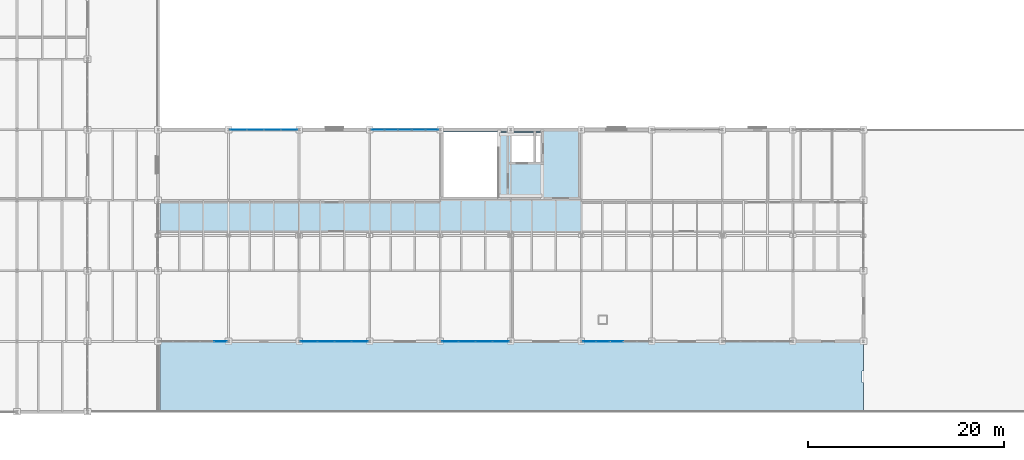
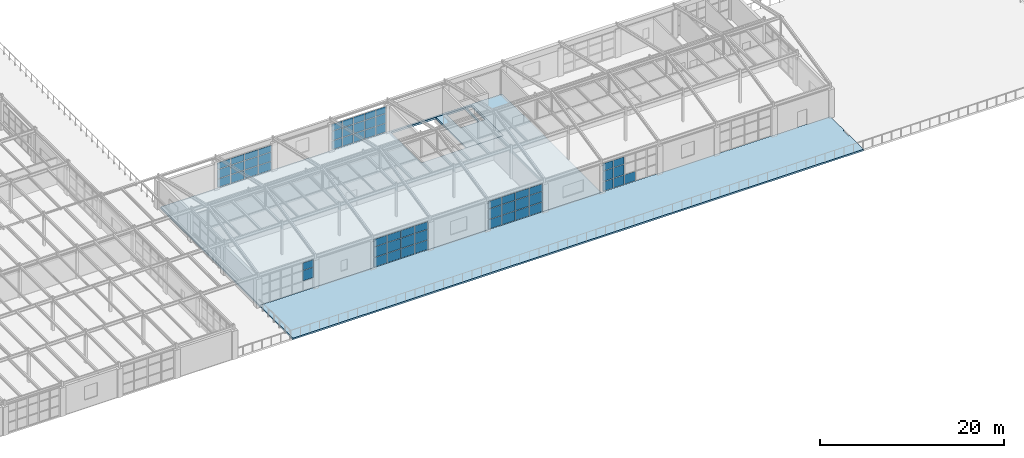
# One storey, part 84 of 101: 60 plates, 3 slabs, 6 elements without a shape of their own.
"""IFC4 building model written with IfcOpenShell, lengths in metres."""

import ifcopenshell
import ifcopenshell.guid

model = None  # the IFC model being written
_history = None  # IfcOwnerHistory: only IFC2X3 demands one
_inside = {}  # id of a spatial element -> (the spatial element, [elements in it])
_under = {}  # id of a project, library or spatial element -> (it, [spatial elements below it])
_declared = {}  # id of a project -> (the project, [libraries it declares])
_typed = {}  # id of a type object -> (the type object, [elements of that type])
_made_of = {}  # id of a material, layer set ... -> (it, [elements and type objects made of it])


def new_model(schema):
    """Start an empty IFC model of exactly this schema.

    Asked for "IFC4X3", IfcOpenShell would pick the latest addendum, in which some entities
    have other attributes; the version numbers below select the first issue.
    IFC2X3 requires an IfcOwnerHistory on every rooted entity: one is made here for all.
    """
    global model, _history
    if schema == "IFC4X3":
        model = ifcopenshell.file(schema_version=(4, 3, 0, 0))
    else:
        model = ifcopenshell.file(schema=schema)
    _inside.clear()
    _under.clear()
    _declared.clear()
    _typed.clear()
    _made_of.clear()
    _history = None
    if model.schema == "IFC2X3":
        org = make("IfcOrganization", Name="unknown")
        user = make(
            "IfcPersonAndOrganization",
            ThePerson=make("IfcPerson", FamilyName="unknown"),
            TheOrganization=org,
        )
        app = make(
            "IfcApplication",
            ApplicationDeveloper=org,
            Version="unknown",
            ApplicationFullName="unknown",
            ApplicationIdentifier="unknown",
        )
        _history = make(
            "IfcOwnerHistory",
            OwningUser=user,
            OwningApplication=app,
            ChangeAction="ADDED",
            CreationDate=0,
        )
    return model


def make(cls, **values):
    """One entity of the class cls with the attributes given. An attribute that is None is left unset."""
    return model.create_entity(
        cls, **{name: value for name, value in values.items() if value is not None}
    )


def rooted(cls, **values):
    """An entity with a GlobalId (a new one), such as an element, a storey or a relation."""
    return make(cls, GlobalId=ifcopenshell.guid.new(), OwnerHistory=_history, **values)


def si_unit(unit_type, name, prefix=None):
    """IfcSIUnit, for example si_unit("LENGTHUNIT", "METRE", prefix="MILLI")."""
    return make("IfcSIUnit", UnitType=unit_type, Prefix=prefix, Name=name)


def assignment(units):
    """IfcUnitAssignment: the units of a project."""
    return None if units is None else make("IfcUnitAssignment", Units=units)


def point(xyz):
    """IfcCartesianPoint."""
    return None if xyz is None else make("IfcCartesianPoint", Coordinates=xyz)


def direction(xyz):
    """IfcDirection."""
    return None if xyz is None else make("IfcDirection", DirectionRatios=xyz)


def frame(location, z_axis=None, x_axis=None):
    """IfcAxis2Placement3D, a coordinate frame: its origin and axes. An axis left out is left unset."""
    return make(
        "IfcAxis2Placement3D",
        Location=point(location),
        Axis=direction(z_axis),
        RefDirection=direction(x_axis),
    )


def frame_2d(location, x_axis=None):
    """IfcAxis2Placement2D, a coordinate frame in the plane: its origin and x axis."""
    return make(
        "IfcAxis2Placement2D", Location=point(location), RefDirection=direction(x_axis)
    )


def origin():
    """The frame at (0, 0, 0) with its axes left unset."""
    return frame((0.0, 0.0, 0.0))


def origin_2d():
    """The frame at (0, 0) in the plane with its x axis left unset."""
    return frame_2d((0.0, 0.0))


def place(relative_to, where):
    """IfcLocalPlacement: puts the frame where relative to a parent placement (None: the world)."""
    return make(
        "IfcLocalPlacement", PlacementRelTo=relative_to, RelativePlacement=where
    )


def context(
    kind, dimensions, precision=None, world=None, true_north=None, identifier=None
):
    """IfcGeometricRepresentationContext, for example the 3D "Model" context."""
    return make(
        "IfcGeometricRepresentationContext",
        ContextIdentifier=identifier,
        ContextType=kind,
        CoordinateSpaceDimension=dimensions,
        Precision=precision,
        WorldCoordinateSystem=world,
        TrueNorth=true_north,
    )


def subcontext(parent, identifier, kind, view, scale=None):
    """IfcGeometricRepresentationSubContext, for example "Body" below "Model"."""
    return make(
        "IfcGeometricRepresentationSubContext",
        ContextIdentifier=identifier,
        ContextType=kind,
        ParentContext=parent,
        TargetScale=scale,
        TargetView=view,
    )


def project(units=None, contexts=None):
    """IfcProject with its units and contexts."""
    return rooted(
        "IfcProject",
        Name="project",
        RepresentationContexts=contexts,
        UnitsInContext=assignment(units),
    )


def spatial(cls, under=None, at=None, **own):
    """A site, building, storey or space (cls), placed at a placement, below another one or the project."""
    s = rooted(cls, ObjectPlacement=at, **own)
    if under is not None:
        _under.setdefault(under.id(), (under, []))[1].append(s)
    return s


def polyline(points):
    """IfcPolyline through the points."""
    return make("IfcPolyline", Points=[point(p) for p in points])


def profile(cls, at=None, kind="AREA", **sizes):
    """A parametric profile (cls). Its sizes go by their IFC names, for example OverallWidth=200.0."""
    return make(cls, ProfileType=kind, Position=at, **sizes)


def rectangle(**sizes):
    """IfcRectangleProfileDef."""
    return profile("IfcRectangleProfileDef", **sizes)


def outline(outer, holes=None, kind="AREA"):
    """IfcArbitraryClosedProfileDef: a profile drawn as a closed curve; with holes, ...WithVoids."""
    if holes is None:
        return make("IfcArbitraryClosedProfileDef", ProfileType=kind, OuterCurve=outer)
    return make(
        "IfcArbitraryProfileDefWithVoids",
        ProfileType=kind,
        OuterCurve=outer,
        InnerCurves=holes,
    )


def extrude(swept, where, along, depth):
    """IfcExtrudedAreaSolid: the profile swept, set in the frame where, extruded along a direction by depth."""
    return make(
        "IfcExtrudedAreaSolid",
        SweptArea=swept,
        Position=where,
        ExtrudedDirection=direction(along),
        Depth=depth,
    )


def shape(context_of_items, identifier, shape_type, items):
    """IfcShapeRepresentation: the items that make up one representation, for example the "Body"."""
    return make(
        "IfcShapeRepresentation",
        ContextOfItems=context_of_items,
        RepresentationIdentifier=identifier,
        RepresentationType=shape_type,
        Items=items,
    )


def material(Name=None, Category=None):
    """IfcMaterial."""
    return make("IfcMaterial", Name=Name, Category=Category)


def layer(
    of_material, thickness, ventilated=None, Name=None, Category=None, Priority=None
):
    """IfcMaterialLayer: one layer of a wall or slab, of a material (None: an air gap)."""
    return make(
        "IfcMaterialLayer",
        Material=of_material,
        LayerThickness=thickness,
        IsVentilated=ventilated,
        Name=Name,
        Category=Category,
        Priority=Priority,
    )


def layer_set(layers, Name=None):
    """IfcMaterialLayerSet."""
    return make("IfcMaterialLayerSet", MaterialLayers=layers, LayerSetName=Name)


def made_of(thing, what):
    """Note that an element or type object is made of a material, layer set ...; save() writes the relation."""
    if what is not None:
        _made_of.setdefault(what.id(), (what, []))[1].append(thing)
    return thing


def type_object(cls, material=None, **own):
    """A type object (cls), such as IfcWallType, which elements share."""
    return made_of(rooted(cls, **own), material)


def element(
    cls,
    number,
    at=None,
    inside=None,
    cuts=None,
    type_object=None,
    material=None,
    context=None,
    identifier="Body",
    shape_type=None,
    held_by="IfcProductDefinitionShape",
    body=None,
    shapes=None,
    **own,
):
    """One element of the class cls, such as IfcWall. Its Tag is "e" and its number.

    at: its placement. inside: the storey or other place that contains it. cuts: it is an
    opening in that element (IfcRelVoidsElement). A single representation is given by context,
    identifier, shape_type and body (its items); several are given by shapes. held_by: the class
    of the entity that holds the representations. save() writes the other relations.
    """
    e = rooted(cls, Tag="e%d" % number, ObjectPlacement=at, **own)
    if body is not None:
        shapes = [shape(context, identifier, shape_type, body)]
    if shapes is not None:
        e.Representation = make(held_by, Representations=shapes)
    if inside is not None:
        _inside.setdefault(inside.id(), (inside, []))[1].append(e)
    if cuts is not None:
        rooted(
            "IfcRelVoidsElement", RelatingBuildingElement=cuts, RelatedOpeningElement=e
        )
    if type_object is not None:
        _typed.setdefault(type_object.id(), (type_object, []))[1].append(e)
    return made_of(e, material)


def aggregate(whole, parts):
    """IfcRelAggregates: a whole, such as a stair, and the parts it consists of."""
    return rooted("IfcRelAggregates", RelatingObject=whole, RelatedObjects=parts)


def save(model, path):
    """Write the relations noted so far, then the file.

    IfcRelAggregates (storeys below a building ...), IfcRelContainedInSpatialStructure (elements
    in a storey), IfcRelDefinesByType, IfcRelAssociatesMaterial and IfcRelDeclares: one each for
    every whole, place, type object, material and project.
    """
    for whole, parts in _under.values():
        aggregate(whole, parts)
    for where, things in _inside.values():
        rooted(
            "IfcRelContainedInSpatialStructure",
            RelatedElements=things,
            RelatingStructure=where,
        )
    for kind, things in _typed.values():
        rooted("IfcRelDefinesByType", RelatedObjects=things, RelatingType=kind)
    for what, things in _made_of.values():
        rooted("IfcRelAssociatesMaterial", RelatedObjects=things, RelatingMaterial=what)
    for by, libraries in _declared.values():
        rooted("IfcRelDeclares", RelatingContext=by, RelatedDefinitions=libraries)
    model.write(path)


model = new_model("IFC4")

# Units and contexts
model_context = context("Model", 3, precision=1e-05, world=origin(), true_north=direction((0.0, 1.0)))
body_context = subcontext(model_context, "Body", "Model", "MODEL_VIEW")
ifc_project = project(units=[si_unit("LENGTHUNIT", "METRE"), si_unit("AREAUNIT", "SQUARE_METRE"), si_unit("VOLUMEUNIT", "CUBIC_METRE"), si_unit("PLANEANGLEUNIT", "RADIAN"), si_unit("MASSUNIT", "GRAM", prefix="KILO")], contexts=[model_context])

# Site, building, storey
site_placement = place(None, origin())
site = spatial("IfcSite", under=ifc_project, at=site_placement, CompositionType="ELEMENT")
building_placement = place(site_placement, origin())
building = spatial("IfcBuilding", under=site, at=building_placement, Name="Kemerveld Promenade Tramway Depot", CompositionType="ELEMENT")
storey_placement = place(building_placement, frame((0.0, 0.0, 9.89990234375)))
storey = spatial("IfcBuildingStorey", under=building, at=storey_placement, Name="L02", CompositionType="ELEMENT", Elevation=9.89990234375)

# Curtain wall, plates
ifc_material_1 = material(Name="Bronze anodised aluminium and solar glass", Category="aluminium")
ifc_layer_1 = layer(ifc_material_1, 0.159912109375)
ifc_layer_set_1 = layer_set([ifc_layer_1], Name="CW-SYS-09")
curtain_wall_type_1 = type_object("IfcCurtainWallType", Name="CW-SYS-09", PredefinedType="USERDEFINED", material=ifc_layer_set_1)
curtain_wall_1_placement = place(storey_placement, origin())
curtain_wall_1 = element("IfcCurtainWall", 1, at=curtain_wall_1_placement, inside=storey, type_object=curtain_wall_type_1, Name="CW-L02-V4S-06", ObjectType="GLAZED_CURTAIN_WALL", PredefinedType="USERDEFINED")
ifc_material_2 = material(Name="Solar-control laminated double glazing", Category="glass")
ifc_layer_2 = layer(ifc_material_2, 0.028076171875)
ifc_layer_set_2 = layer_set([ifc_layer_2], Name="CW-PNL-01")
plate_type_1 = type_object("IfcPlateType", Name="CW-PNL-01", PredefinedType="CURTAIN_PANEL", material=ifc_layer_set_2)
plate_1_placement = place(storey_placement, frame((92.590087890625, 7.199951171875, 0.06005859375), z_axis=(0.0, 0.0, 1.0), x_axis=(-1.0, 0.0, 0.0)))
plate_1 = element("IfcPlate", 2, at=plate_1_placement, type_object=plate_type_1, Name="CW09 panel 1.1", PredefinedType="CURTAIN_PANEL", context=body_context, shape_type="SweptSolid", body=[
    extrude(rectangle(XDim=1.64013671875, YDim=0.028076171875, at=origin_2d()), origin(), (0.0, 0.0, 1.0), 1.239990234375),
])
plate_2_placement = place(storey_placement, frame((92.590087890625, 7.199951171875, 1.3603515625), z_axis=(0.0, 0.0, 1.0), x_axis=(-1.0, 0.0, 0.0)))
plate_2 = element("IfcPlate", 3, at=plate_2_placement, type_object=plate_type_1, Name="CW09 panel 1.2", PredefinedType="CURTAIN_PANEL", context=body_context, shape_type="SweptSolid", body=[
    extrude(rectangle(XDim=1.64013671875, YDim=0.028076171875, at=origin_2d()), origin(), (0.0, 0.0, 1.0), 1.345947265625),
])
plate_3_placement = place(storey_placement, frame((92.590087890625, 7.199951171875, 2.76611328125), z_axis=(0.0, 0.0, 1.0), x_axis=(-1.0, 0.0, 0.0)))
plate_3 = element("IfcPlate", 4, at=plate_3_placement, type_object=plate_type_1, Name="CW09 panel 1.3", PredefinedType="CURTAIN_PANEL", context=body_context, shape_type="SweptSolid", body=[
    extrude(rectangle(XDim=1.64013671875, YDim=0.028076171875, at=origin_2d()), origin(), (0.0, 0.0, 1.0), 0.97412109375),
])
plate_4_placement = place(storey_placement, frame((90.868896484375, 7.199951171875, 0.06005859375), z_axis=(0.0, 0.0, 1.0), x_axis=(-1.0, 0.0, 0.0)))
plate_4 = element("IfcPlate", 5, at=plate_4_placement, type_object=plate_type_1, Name="CW09 panel 2.1", PredefinedType="CURTAIN_PANEL", context=body_context, shape_type="SweptSolid", body=[
    extrude(rectangle(XDim=1.672607421875, YDim=0.028076171875, at=origin_2d()), origin(), (0.0, 0.0, 1.0), 1.239990234375),
])
plate_5_placement = place(storey_placement, frame((90.868896484375, 7.199951171875, 1.3603515625), z_axis=(0.0, 0.0, 1.0), x_axis=(-1.0, 0.0, 0.0)))
plate_5 = element("IfcPlate", 6, at=plate_5_placement, type_object=plate_type_1, Name="CW09 panel 2.2", PredefinedType="CURTAIN_PANEL", context=body_context, shape_type="SweptSolid", body=[
    extrude(rectangle(XDim=1.672607421875, YDim=0.028076171875, at=origin_2d()), origin(), (0.0, 0.0, 1.0), 1.345947265625),
])
plate_6_placement = place(storey_placement, frame((90.868896484375, 7.199951171875, 2.76611328125), z_axis=(0.0, 0.0, 1.0), x_axis=(-1.0, 0.0, 0.0)))
plate_6 = element("IfcPlate", 7, at=plate_6_placement, type_object=plate_type_1, Name="CW09 panel 2.3", PredefinedType="CURTAIN_PANEL", context=body_context, shape_type="SweptSolid", body=[
    extrude(rectangle(XDim=1.672607421875, YDim=0.028076171875, at=origin_2d()), origin(), (0.0, 0.0, 1.0), 0.97412109375),
])
plate_7_placement = place(storey_placement, frame((89.131103515625, 7.199951171875, 0.06005859375), z_axis=(0.0, 0.0, 1.0), x_axis=(-1.0, 0.0, 0.0)))
plate_7 = element("IfcPlate", 8, at=plate_7_placement, type_object=plate_type_1, Name="CW09 panel 3.1", PredefinedType="CURTAIN_PANEL", context=body_context, shape_type="SweptSolid", body=[
    extrude(rectangle(XDim=1.672607421875, YDim=0.028076171875, at=origin_2d()), origin(), (0.0, 0.0, 1.0), 1.239990234375),
])
plate_8_placement = place(storey_placement, frame((89.131103515625, 7.199951171875, 1.3603515625), z_axis=(0.0, 0.0, 1.0), x_axis=(-1.0, 0.0, 0.0)))
plate_8 = element("IfcPlate", 9, at=plate_8_placement, type_object=plate_type_1, Name="CW09 panel 3.2", PredefinedType="CURTAIN_PANEL", context=body_context, shape_type="SweptSolid", body=[
    extrude(rectangle(XDim=1.672607421875, YDim=0.028076171875, at=origin_2d()), origin(), (0.0, 0.0, 1.0), 1.345947265625),
])
plate_9_placement = place(storey_placement, frame((89.131103515625, 7.199951171875, 2.76611328125), z_axis=(0.0, 0.0, 1.0), x_axis=(-1.0, 0.0, 0.0)))
plate_9 = element("IfcPlate", 10, at=plate_9_placement, type_object=plate_type_1, Name="CW09 panel 3.3", PredefinedType="CURTAIN_PANEL", context=body_context, shape_type="SweptSolid", body=[
    extrude(rectangle(XDim=1.672607421875, YDim=0.028076171875, at=origin_2d()), origin(), (0.0, 0.0, 1.0), 0.97412109375),
])
plate_10_placement = place(storey_placement, frame((87.409912109375, 7.199951171875, 0.06005859375), z_axis=(0.0, 0.0, 1.0), x_axis=(-1.0, 0.0, 0.0)))
plate_10 = element("IfcPlate", 11, at=plate_10_placement, type_object=plate_type_1, Name="CW09 panel 4.1", PredefinedType="CURTAIN_PANEL", context=body_context, shape_type="SweptSolid", body=[
    extrude(rectangle(XDim=1.64013671875, YDim=0.028076171875, at=origin_2d()), origin(), (0.0, 0.0, 1.0), 1.239990234375),
])
plate_11_placement = place(storey_placement, frame((87.409912109375, 7.199951171875, 1.3603515625), z_axis=(0.0, 0.0, 1.0), x_axis=(-1.0, 0.0, 0.0)))
plate_11 = element("IfcPlate", 12, at=plate_11_placement, type_object=plate_type_1, Name="CW09 panel 4.2", PredefinedType="CURTAIN_PANEL", context=body_context, shape_type="SweptSolid", body=[
    extrude(rectangle(XDim=1.64013671875, YDim=0.028076171875, at=origin_2d()), origin(), (0.0, 0.0, 1.0), 1.345947265625),
])
plate_12_placement = place(storey_placement, frame((87.409912109375, 7.199951171875, 2.76611328125), z_axis=(0.0, 0.0, 1.0), x_axis=(-1.0, 0.0, 0.0)))
plate_12 = element("IfcPlate", 13, at=plate_12_placement, type_object=plate_type_1, Name="CW09 panel 4.3", PredefinedType="CURTAIN_PANEL", context=body_context, shape_type="SweptSolid", body=[
    extrude(rectangle(XDim=1.64013671875, YDim=0.028076171875, at=origin_2d()), origin(), (0.0, 0.0, 1.0), 0.97412109375),
])
aggregate(curtain_wall_1, [plate_1, plate_2, plate_3, plate_4, plate_5, plate_6, plate_7, plate_8, plate_9, plate_10, plate_11, plate_12])

ifc_layer_3 = layer(ifc_material_1, 0.159912109375)
ifc_layer_set_3 = layer_set([ifc_layer_3], Name="CW-SYS-11")
curtain_wall_type_2 = type_object("IfcCurtainWallType", Name="CW-SYS-11", PredefinedType="USERDEFINED", material=ifc_layer_set_3)
curtain_wall_2_placement = place(storey_placement, origin())
curtain_wall_2 = element("IfcCurtainWall", 14, at=curtain_wall_2_placement, inside=storey, type_object=curtain_wall_type_2, Name="CW-L02-V4S-08", ObjectType="GLAZED_CURTAIN_WALL", PredefinedType="USERDEFINED")
ifc_layer_4 = layer(ifc_material_2, 0.028076171875)
ifc_layer_set_4 = layer_set([ifc_layer_4], Name="CW-PNL-03")
plate_type_2 = type_object("IfcPlateType", Name="CW-PNL-03", PredefinedType="CURTAIN_PANEL", material=ifc_layer_set_4)
plate_13_placement = place(storey_placement, frame((78.190185546875, 7.199951171875, 0.06005859375), z_axis=(0.0, 0.0, 1.0), x_axis=(-1.0, 0.0, 0.0)))
plate_13 = element("IfcPlate", 15, at=plate_13_placement, type_object=plate_type_2, Name="CW11 panel 1.1", PredefinedType="CURTAIN_PANEL", context=body_context, shape_type="SweptSolid", body=[
    extrude(rectangle(XDim=1.64013671875, YDim=0.028076171875, at=origin_2d()), origin(), (0.0, 0.0, 1.0), 1.239990234375),
])
plate_14_placement = place(storey_placement, frame((78.190185546875, 7.199951171875, 1.3603515625), z_axis=(0.0, 0.0, 1.0), x_axis=(-1.0, 0.0, 0.0)))
plate_14 = element("IfcPlate", 16, at=plate_14_placement, type_object=plate_type_2, Name="CW11 panel 1.2", PredefinedType="CURTAIN_PANEL", context=body_context, shape_type="SweptSolid", body=[
    extrude(rectangle(XDim=1.64013671875, YDim=0.028076171875, at=origin_2d()), origin(), (0.0, 0.0, 1.0), 1.345947265625),
])
plate_15_placement = place(storey_placement, frame((78.190185546875, 7.199951171875, 2.76611328125), z_axis=(0.0, 0.0, 1.0), x_axis=(-1.0, 0.0, 0.0)))
plate_15 = element("IfcPlate", 17, at=plate_15_placement, type_object=plate_type_2, Name="CW11 panel 1.3", PredefinedType="CURTAIN_PANEL", context=body_context, shape_type="SweptSolid", body=[
    extrude(rectangle(XDim=1.64013671875, YDim=0.028076171875, at=origin_2d()), origin(), (0.0, 0.0, 1.0), 0.97412109375),
])
plate_16_placement = place(storey_placement, frame((76.46875, 7.199951171875, 0.06005859375), z_axis=(0.0, 0.0, 1.0), x_axis=(-1.0, 0.0, 0.0)))
plate_16 = element("IfcPlate", 18, at=plate_16_placement, type_object=plate_type_2, Name="CW11 panel 2.1", PredefinedType="CURTAIN_PANEL", context=body_context, shape_type="SweptSolid", body=[
    extrude(rectangle(XDim=1.672607421875, YDim=0.028076171875, at=origin_2d()), origin(), (0.0, 0.0, 1.0), 1.239990234375),
])
plate_17_placement = place(storey_placement, frame((76.46875, 7.199951171875, 1.3603515625), z_axis=(0.0, 0.0, 1.0), x_axis=(-1.0, 0.0, 0.0)))
plate_17 = element("IfcPlate", 19, at=plate_17_placement, type_object=plate_type_2, Name="CW11 panel 2.2", PredefinedType="CURTAIN_PANEL", context=body_context, shape_type="SweptSolid", body=[
    extrude(rectangle(XDim=1.672607421875, YDim=0.028076171875, at=origin_2d()), origin(), (0.0, 0.0, 1.0), 1.345947265625),
])
plate_18_placement = place(storey_placement, frame((76.46875, 7.199951171875, 2.76611328125), z_axis=(0.0, 0.0, 1.0), x_axis=(-1.0, 0.0, 0.0)))
plate_18 = element("IfcPlate", 20, at=plate_18_placement, type_object=plate_type_2, Name="CW11 panel 2.3", PredefinedType="CURTAIN_PANEL", context=body_context, shape_type="SweptSolid", body=[
    extrude(rectangle(XDim=1.672607421875, YDim=0.028076171875, at=origin_2d()), origin(), (0.0, 0.0, 1.0), 0.97412109375),
])
plate_19_placement = place(storey_placement, frame((74.731201171875, 7.199951171875, 0.06005859375), z_axis=(0.0, 0.0, 1.0), x_axis=(-1.0, 0.0, 0.0)))
plate_19 = element("IfcPlate", 21, at=plate_19_placement, type_object=plate_type_2, Name="CW11 panel 3.1", PredefinedType="CURTAIN_PANEL", context=body_context, shape_type="SweptSolid", body=[
    extrude(rectangle(XDim=1.672607421875, YDim=0.028076171875, at=origin_2d()), origin(), (0.0, 0.0, 1.0), 1.239990234375),
])
plate_20_placement = place(storey_placement, frame((74.731201171875, 7.199951171875, 1.3603515625), z_axis=(0.0, 0.0, 1.0), x_axis=(-1.0, 0.0, 0.0)))
plate_20 = element("IfcPlate", 22, at=plate_20_placement, type_object=plate_type_2, Name="CW11 panel 3.2", PredefinedType="CURTAIN_PANEL", context=body_context, shape_type="SweptSolid", body=[
    extrude(rectangle(XDim=1.672607421875, YDim=0.028076171875, at=origin_2d()), origin(), (0.0, 0.0, 1.0), 1.345947265625),
])
plate_21_placement = place(storey_placement, frame((74.731201171875, 7.199951171875, 2.76611328125), z_axis=(0.0, 0.0, 1.0), x_axis=(-1.0, 0.0, 0.0)))
plate_21 = element("IfcPlate", 23, at=plate_21_placement, type_object=plate_type_2, Name="CW11 panel 3.3", PredefinedType="CURTAIN_PANEL", context=body_context, shape_type="SweptSolid", body=[
    extrude(rectangle(XDim=1.672607421875, YDim=0.028076171875, at=origin_2d()), origin(), (0.0, 0.0, 1.0), 0.97412109375),
])
plate_22_placement = place(storey_placement, frame((73.009765625, 7.199951171875, 0.06005859375), z_axis=(0.0, 0.0, 1.0), x_axis=(-1.0, 0.0, 0.0)))
plate_22 = element("IfcPlate", 24, at=plate_22_placement, type_object=plate_type_2, Name="CW11 panel 4.1", PredefinedType="CURTAIN_PANEL", context=body_context, shape_type="SweptSolid", body=[
    extrude(rectangle(XDim=1.64013671875, YDim=0.028076171875, at=origin_2d()), origin(), (0.0, 0.0, 1.0), 1.239990234375),
])
plate_23_placement = place(storey_placement, frame((73.009765625, 7.199951171875, 1.3603515625), z_axis=(0.0, 0.0, 1.0), x_axis=(-1.0, 0.0, 0.0)))
plate_23 = element("IfcPlate", 25, at=plate_23_placement, type_object=plate_type_2, Name="CW11 panel 4.2", PredefinedType="CURTAIN_PANEL", context=body_context, shape_type="SweptSolid", body=[
    extrude(rectangle(XDim=1.64013671875, YDim=0.028076171875, at=origin_2d()), origin(), (0.0, 0.0, 1.0), 1.345947265625),
])
plate_24_placement = place(storey_placement, frame((73.009765625, 7.199951171875, 2.76611328125), z_axis=(0.0, 0.0, 1.0), x_axis=(-1.0, 0.0, 0.0)))
plate_24 = element("IfcPlate", 26, at=plate_24_placement, type_object=plate_type_2, Name="CW11 panel 4.3", PredefinedType="CURTAIN_PANEL", context=body_context, shape_type="SweptSolid", body=[
    extrude(rectangle(XDim=1.64013671875, YDim=0.028076171875, at=origin_2d()), origin(), (0.0, 0.0, 1.0), 0.97412109375),
])
aggregate(curtain_wall_2, [plate_13, plate_14, plate_15, plate_16, plate_17, plate_18, plate_19, plate_20, plate_21, plate_22, plate_23, plate_24])

ifc_layer_5 = layer(ifc_material_1, 0.159912109375)
ifc_layer_set_5 = layer_set([ifc_layer_5], Name="CW-SYS-13")
curtain_wall_type_3 = type_object("IfcCurtainWallType", Name="CW-SYS-13", PredefinedType="USERDEFINED", material=ifc_layer_set_5)
curtain_wall_3_placement = place(storey_placement, origin())
curtain_wall_3 = element("IfcCurtainWall", 27, at=curtain_wall_3_placement, inside=storey, type_object=curtain_wall_type_3, Name="CW-L02-V4S-10", ObjectType="GLAZED_CURTAIN_WALL", PredefinedType="USERDEFINED")
ifc_layer_6 = layer(ifc_material_2, 0.031982421875)
ifc_layer_set_6 = layer_set([ifc_layer_6], Name="CW-PNL-05")
plate_type_3 = type_object("IfcPlateType", Name="CW-PNL-05", PredefinedType="CURTAIN_PANEL", material=ifc_layer_set_6)
plate_25_placement = place(storey_placement, frame((63.9638671875, 7.199951171875, 1.3603515625), z_axis=(0.0, 0.0, 1.0), x_axis=(-1.0, 0.0, 0.0)))
plate_25 = element("IfcPlate", 28, at=plate_25_placement, type_object=plate_type_3, Name="CW13 panel 1.2", PredefinedType="CURTAIN_PANEL", context=body_context, shape_type="SweptSolid", body=[
    extrude(rectangle(XDim=1.29248046875, YDim=0.031982421875, at=origin_2d()), origin(), (0.0, 0.0, 1.0), 1.345947265625),
])
plate_26_placement = place(storey_placement, frame((63.9638671875, 7.199951171875, 2.76611328125), z_axis=(0.0, 0.0, 1.0), x_axis=(-1.0, 0.0, 0.0)))
plate_26 = element("IfcPlate", 29, at=plate_26_placement, type_object=plate_type_3, Name="CW13 panel 1.3", PredefinedType="CURTAIN_PANEL", context=body_context, shape_type="SweptSolid", body=[
    extrude(rectangle(XDim=1.29248046875, YDim=0.031982421875, at=origin_2d()), origin(), (0.0, 0.0, 1.0), 0.97412109375),
])
aggregate(curtain_wall_3, [plate_25, plate_26])

ifc_layer_7 = layer(ifc_material_1, 0.159912109375)
ifc_layer_set_7 = layer_set([ifc_layer_7], Name="CW-SYS-05")
curtain_wall_type_4 = type_object("IfcCurtainWallType", Name="CW-SYS-05", PredefinedType="USERDEFINED", material=ifc_layer_set_7)
curtain_wall_4_placement = place(storey_placement, origin())
curtain_wall_4 = element("IfcCurtainWall", 30, at=curtain_wall_4_placement, inside=storey, type_object=curtain_wall_type_4, Name="CW-L02-V4N-02", ObjectType="GLAZED_CURTAIN_WALL", PredefinedType="USERDEFINED")
plate_27_placement = place(storey_placement, frame((65.809814453125, 28.800048828125, 0.06005859375), z_axis=(0.0, 0.0, 1.0), x_axis=(1.0, 0.0, 0.0)))
plate_27 = element("IfcPlate", 31, at=plate_27_placement, type_object=plate_type_3, Name="CW05 panel 1.1", PredefinedType="CURTAIN_PANEL", context=body_context, shape_type="SweptSolid", body=[
    extrude(rectangle(XDim=1.64013671875, YDim=0.031982421875, at=origin_2d()), origin(), (0.0, 0.0, 1.0), 1.10107421875),
])
plate_28_placement = place(storey_placement, frame((65.809814453125, 28.800048828125, 1.22119140625), z_axis=(0.0, 0.0, 1.0), x_axis=(1.0, 0.0, 0.0)))
plate_28 = element("IfcPlate", 32, at=plate_28_placement, type_object=plate_type_3, Name="CW05 panel 1.2", PredefinedType="CURTAIN_PANEL", context=body_context, shape_type="SweptSolid", body=[
    extrude(rectangle(XDim=1.64013671875, YDim=0.031982421875, at=origin_2d()), origin(), (0.0, 0.0, 1.0), 1.199951171875),
])
plate_29_placement = place(storey_placement, frame((65.809814453125, 28.800048828125, 2.48095703125), z_axis=(0.0, 0.0, 1.0), x_axis=(1.0, 0.0, 0.0)))
plate_29 = element("IfcPlate", 33, at=plate_29_placement, type_object=plate_type_3, Name="CW05 panel 1.3", PredefinedType="CURTAIN_PANEL", context=body_context, shape_type="SweptSolid", body=[
    extrude(rectangle(XDim=1.64013671875, YDim=0.031982421875, at=origin_2d()), origin(), (0.0, 0.0, 1.0), 0.863037109375),
])
plate_30_placement = place(storey_placement, frame((67.53125, 28.800048828125, 0.06005859375), z_axis=(0.0, 0.0, 1.0), x_axis=(1.0, 0.0, 0.0)))
plate_30 = element("IfcPlate", 34, at=plate_30_placement, type_object=plate_type_3, Name="CW05 panel 2.1", PredefinedType="CURTAIN_PANEL", context=body_context, shape_type="SweptSolid", body=[
    extrude(rectangle(XDim=1.672607421875, YDim=0.031982421875, at=origin_2d()), origin(), (0.0, 0.0, 1.0), 1.10107421875),
])
plate_31_placement = place(storey_placement, frame((67.53125, 28.800048828125, 1.22119140625), z_axis=(0.0, 0.0, 1.0), x_axis=(1.0, 0.0, 0.0)))
plate_31 = element("IfcPlate", 35, at=plate_31_placement, type_object=plate_type_3, Name="CW05 panel 2.2", PredefinedType="CURTAIN_PANEL", context=body_context, shape_type="SweptSolid", body=[
    extrude(rectangle(XDim=1.672607421875, YDim=0.031982421875, at=origin_2d()), origin(), (0.0, 0.0, 1.0), 1.199951171875),
])
plate_32_placement = place(storey_placement, frame((67.53125, 28.800048828125, 2.48095703125), z_axis=(0.0, 0.0, 1.0), x_axis=(1.0, 0.0, 0.0)))
plate_32 = element("IfcPlate", 36, at=plate_32_placement, type_object=plate_type_3, Name="CW05 panel 2.3", PredefinedType="CURTAIN_PANEL", context=body_context, shape_type="SweptSolid", body=[
    extrude(rectangle(XDim=1.672607421875, YDim=0.031982421875, at=origin_2d()), origin(), (0.0, 0.0, 1.0), 0.863037109375),
])
plate_33_placement = place(storey_placement, frame((69.268798828125, 28.800048828125, 0.06005859375), z_axis=(0.0, 0.0, 1.0), x_axis=(1.0, 0.0, 0.0)))
plate_33 = element("IfcPlate", 37, at=plate_33_placement, type_object=plate_type_3, Name="CW05 panel 3.1", PredefinedType="CURTAIN_PANEL", context=body_context, shape_type="SweptSolid", body=[
    extrude(rectangle(XDim=1.672607421875, YDim=0.031982421875, at=origin_2d()), origin(), (0.0, 0.0, 1.0), 1.10107421875),
])
plate_34_placement = place(storey_placement, frame((69.268798828125, 28.800048828125, 1.22119140625), z_axis=(0.0, 0.0, 1.0), x_axis=(1.0, 0.0, 0.0)))
plate_34 = element("IfcPlate", 38, at=plate_34_placement, type_object=plate_type_3, Name="CW05 panel 3.2", PredefinedType="CURTAIN_PANEL", context=body_context, shape_type="SweptSolid", body=[
    extrude(rectangle(XDim=1.672607421875, YDim=0.031982421875, at=origin_2d()), origin(), (0.0, 0.0, 1.0), 1.199951171875),
])
plate_35_placement = place(storey_placement, frame((69.268798828125, 28.800048828125, 2.48095703125), z_axis=(0.0, 0.0, 1.0), x_axis=(1.0, 0.0, 0.0)))
plate_35 = element("IfcPlate", 39, at=plate_35_placement, type_object=plate_type_3, Name="CW05 panel 3.3", PredefinedType="CURTAIN_PANEL", context=body_context, shape_type="SweptSolid", body=[
    extrude(rectangle(XDim=1.672607421875, YDim=0.031982421875, at=origin_2d()), origin(), (0.0, 0.0, 1.0), 0.863037109375),
])
plate_36_placement = place(storey_placement, frame((70.990234375, 28.800048828125, 0.06005859375), z_axis=(0.0, 0.0, 1.0), x_axis=(1.0, 0.0, 0.0)))
plate_36 = element("IfcPlate", 40, at=plate_36_placement, type_object=plate_type_3, Name="CW05 panel 4.1", PredefinedType="CURTAIN_PANEL", context=body_context, shape_type="SweptSolid", body=[
    extrude(rectangle(XDim=1.64013671875, YDim=0.031982421875, at=origin_2d()), origin(), (0.0, 0.0, 1.0), 1.10107421875),
])
plate_37_placement = place(storey_placement, frame((70.990234375, 28.800048828125, 1.22119140625), z_axis=(0.0, 0.0, 1.0), x_axis=(1.0, 0.0, 0.0)))
plate_37 = element("IfcPlate", 41, at=plate_37_placement, type_object=plate_type_3, Name="CW05 panel 4.2", PredefinedType="CURTAIN_PANEL", context=body_context, shape_type="SweptSolid", body=[
    extrude(rectangle(XDim=1.64013671875, YDim=0.031982421875, at=origin_2d()), origin(), (0.0, 0.0, 1.0), 1.199951171875),
])
plate_38_placement = place(storey_placement, frame((70.990234375, 28.800048828125, 2.48095703125), z_axis=(0.0, 0.0, 1.0), x_axis=(1.0, 0.0, 0.0)))
plate_38 = element("IfcPlate", 42, at=plate_38_placement, type_object=plate_type_3, Name="CW05 panel 4.3", PredefinedType="CURTAIN_PANEL", context=body_context, shape_type="SweptSolid", body=[
    extrude(rectangle(XDim=1.64013671875, YDim=0.031982421875, at=origin_2d()), origin(), (0.0, 0.0, 1.0), 0.863037109375),
])
aggregate(curtain_wall_4, [plate_27, plate_28, plate_29, plate_30, plate_31, plate_32, plate_33, plate_34, plate_35, plate_36, plate_37, plate_38])

ifc_layer_8 = layer(ifc_material_1, 0.159912109375)
ifc_layer_set_8 = layer_set([ifc_layer_8], Name="CW-SYS-07")
curtain_wall_type_5 = type_object("IfcCurtainWallType", Name="CW-SYS-07", PredefinedType="USERDEFINED", material=ifc_layer_set_8)
curtain_wall_5_placement = place(storey_placement, origin())
curtain_wall_5 = element("IfcCurtainWall", 43, at=curtain_wall_5_placement, inside=storey, type_object=curtain_wall_type_5, Name="CW-L02-V4S-04", ObjectType="GLAZED_CURTAIN_WALL", PredefinedType="USERDEFINED")
ifc_layer_9 = layer(ifc_material_2, 0.030029296875)
ifc_layer_set_9 = layer_set([ifc_layer_9], Name="CW-PNL-07")
plate_type_4 = type_object("IfcPlateType", Name="CW-PNL-07", PredefinedType="CURTAIN_PANEL", material=ifc_layer_set_9)
plate_39_placement = place(storey_placement, frame((104.39990234375, 7.199951171875, 0.06005859375), z_axis=(0.0, 0.0, 1.0), x_axis=(-1.0, 0.0, 0.0)))
plate_39 = element("IfcPlate", 44, at=plate_39_placement, type_object=plate_type_4, Name="CW07 panel 3.1", PredefinedType="CURTAIN_PANEL", context=body_context, shape_type="SweptSolid", body=[
    extrude(rectangle(XDim=1.3251953125, YDim=0.030029296875, at=origin_2d()), origin(), (0.0, 0.0, 1.0), 1.239990234375),
])
plate_40_placement = place(storey_placement, frame((103.010009765625, 7.199951171875, 0.06005859375), z_axis=(0.0, 0.0, 1.0), x_axis=(-1.0, 0.0, 0.0)))
plate_40 = element("IfcPlate", 45, at=plate_40_placement, type_object=plate_type_4, Name="CW07 panel 4.1", PredefinedType="CURTAIN_PANEL", context=body_context, shape_type="SweptSolid", body=[
    extrude(rectangle(XDim=1.3251953125, YDim=0.030029296875, at=origin_2d()), origin(), (0.0, 0.0, 1.0), 1.239990234375),
])
plate_41_placement = place(storey_placement, frame((103.010009765625, 7.199951171875, 1.3603515625), z_axis=(0.0, 0.0, 1.0), x_axis=(-1.0, 0.0, 0.0)))
plate_41 = element("IfcPlate", 46, at=plate_41_placement, type_object=plate_type_4, Name="CW07 panel 4.2", PredefinedType="CURTAIN_PANEL", context=body_context, shape_type="SweptSolid", body=[
    extrude(rectangle(XDim=1.3251953125, YDim=0.030029296875, at=origin_2d()), origin(), (0.0, 0.0, 1.0), 1.345947265625),
])
plate_42_placement = place(storey_placement, frame((103.010009765625, 7.199951171875, 2.76611328125), z_axis=(0.0, 0.0, 1.0), x_axis=(-1.0, 0.0, 0.0)))
plate_42 = element("IfcPlate", 47, at=plate_42_placement, type_object=plate_type_4, Name="CW07 panel 4.3", PredefinedType="CURTAIN_PANEL", context=body_context, shape_type="SweptSolid", body=[
    extrude(rectangle(XDim=1.3251953125, YDim=0.030029296875, at=origin_2d()), origin(), (0.0, 0.0, 1.0), 0.97412109375),
])
plate_43_placement = place(storey_placement, frame((101.635986328125, 7.199951171875, 0.06005859375), z_axis=(0.0, 0.0, 1.0), x_axis=(-1.0, 0.0, 0.0)))
plate_43 = element("IfcPlate", 48, at=plate_43_placement, type_object=plate_type_4, Name="CW07 panel 5.1", PredefinedType="CURTAIN_PANEL", context=body_context, shape_type="SweptSolid", body=[
    extrude(rectangle(XDim=1.29248046875, YDim=0.030029296875, at=origin_2d()), origin(), (0.0, 0.0, 1.0), 1.239990234375),
])
plate_44_placement = place(storey_placement, frame((101.635986328125, 7.199951171875, 1.3603515625), z_axis=(0.0, 0.0, 1.0), x_axis=(-1.0, 0.0, 0.0)))
plate_44 = element("IfcPlate", 49, at=plate_44_placement, type_object=plate_type_4, Name="CW07 panel 5.2", PredefinedType="CURTAIN_PANEL", context=body_context, shape_type="SweptSolid", body=[
    extrude(rectangle(XDim=1.29248046875, YDim=0.030029296875, at=origin_2d()), origin(), (0.0, 0.0, 1.0), 1.345947265625),
])
plate_45_placement = place(storey_placement, frame((101.635986328125, 7.199951171875, 2.76611328125), z_axis=(0.0, 0.0, 1.0), x_axis=(-1.0, 0.0, 0.0)))
plate_45 = element("IfcPlate", 50, at=plate_45_placement, type_object=plate_type_4, Name="CW07 panel 5.3", PredefinedType="CURTAIN_PANEL", context=body_context, shape_type="SweptSolid", body=[
    extrude(rectangle(XDim=1.29248046875, YDim=0.030029296875, at=origin_2d()), origin(), (0.0, 0.0, 1.0), 0.97412109375),
])
aggregate(curtain_wall_5, [plate_39, plate_40, plate_41, plate_42, plate_43, plate_44, plate_45])

curtain_wall_6_placement = place(storey_placement, origin())
curtain_wall_6 = element("IfcCurtainWall", 51, at=curtain_wall_6_placement, inside=storey, type_object=curtain_wall_type_5, Name="CW-L02-V4N-04", ObjectType="GLAZED_CURTAIN_WALL", PredefinedType="USERDEFINED")
plate_46_placement = place(storey_placement, frame((80.0361328125, 28.800048828125, 0.06005859375), z_axis=(0.0, 0.0, 1.0), x_axis=(1.0, 0.0, 0.0)))
plate_46 = element("IfcPlate", 52, at=plate_46_placement, type_object=plate_type_4, Name="CW07 panel 1.1", PredefinedType="CURTAIN_PANEL", context=body_context, shape_type="SweptSolid", body=[
    extrude(rectangle(XDim=1.29248046875, YDim=0.030029296875, at=origin_2d()), origin(), (0.0, 0.0, 1.0), 1.132080078125),
])
plate_47_placement = place(storey_placement, frame((80.0361328125, 28.800048828125, 1.252197265625), z_axis=(0.0, 0.0, 1.0), x_axis=(1.0, 0.0, 0.0)))
plate_47 = element("IfcPlate", 53, at=plate_47_placement, type_object=plate_type_4, Name="CW07 panel 1.2", PredefinedType="CURTAIN_PANEL", context=body_context, shape_type="SweptSolid", body=[
    extrude(rectangle(XDim=1.29248046875, YDim=0.030029296875, at=origin_2d()), origin(), (0.0, 0.0, 1.0), 1.23291015625),
])
plate_48_placement = place(storey_placement, frame((80.0361328125, 28.800048828125, 2.545166015625), z_axis=(0.0, 0.0, 1.0), x_axis=(1.0, 0.0, 0.0)))
plate_48 = element("IfcPlate", 54, at=plate_48_placement, type_object=plate_type_4, Name="CW07 panel 1.3", PredefinedType="CURTAIN_PANEL", context=body_context, shape_type="SweptSolid", body=[
    extrude(rectangle(XDim=1.29248046875, YDim=0.030029296875, at=origin_2d()), origin(), (0.0, 0.0, 1.0), 0.8876953125),
])
plate_49_placement = place(storey_placement, frame((81.409912109375, 28.800048828125, 0.06005859375), z_axis=(0.0, 0.0, 1.0), x_axis=(1.0, 0.0, 0.0)))
plate_49 = element("IfcPlate", 55, at=plate_49_placement, type_object=plate_type_4, Name="CW07 panel 2.1", PredefinedType="CURTAIN_PANEL", context=body_context, shape_type="SweptSolid", body=[
    extrude(rectangle(XDim=1.3251953125, YDim=0.030029296875, at=origin_2d()), origin(), (0.0, 0.0, 1.0), 1.132080078125),
])
plate_50_placement = place(storey_placement, frame((81.409912109375, 28.800048828125, 1.252197265625), z_axis=(0.0, 0.0, 1.0), x_axis=(1.0, 0.0, 0.0)))
plate_50 = element("IfcPlate", 56, at=plate_50_placement, type_object=plate_type_4, Name="CW07 panel 2.2", PredefinedType="CURTAIN_PANEL", context=body_context, shape_type="SweptSolid", body=[
    extrude(rectangle(XDim=1.3251953125, YDim=0.030029296875, at=origin_2d()), origin(), (0.0, 0.0, 1.0), 1.23291015625),
])
plate_51_placement = place(storey_placement, frame((81.409912109375, 28.800048828125, 2.545166015625), z_axis=(0.0, 0.0, 1.0), x_axis=(1.0, 0.0, 0.0)))
plate_51 = element("IfcPlate", 57, at=plate_51_placement, type_object=plate_type_4, Name="CW07 panel 2.3", PredefinedType="CURTAIN_PANEL", context=body_context, shape_type="SweptSolid", body=[
    extrude(rectangle(XDim=1.3251953125, YDim=0.030029296875, at=origin_2d()), origin(), (0.0, 0.0, 1.0), 0.8876953125),
])
plate_52_placement = place(storey_placement, frame((82.800048828125, 28.800048828125, 0.06005859375), z_axis=(0.0, 0.0, 1.0), x_axis=(1.0, 0.0, 0.0)))
plate_52 = element("IfcPlate", 58, at=plate_52_placement, type_object=plate_type_4, Name="CW07 panel 3.1", PredefinedType="CURTAIN_PANEL", context=body_context, shape_type="SweptSolid", body=[
    extrude(rectangle(XDim=1.3251953125, YDim=0.030029296875, at=origin_2d()), origin(), (0.0, 0.0, 1.0), 1.132080078125),
])
plate_53_placement = place(storey_placement, frame((82.800048828125, 28.800048828125, 1.252197265625), z_axis=(0.0, 0.0, 1.0), x_axis=(1.0, 0.0, 0.0)))
plate_53 = element("IfcPlate", 59, at=plate_53_placement, type_object=plate_type_4, Name="CW07 panel 3.2", PredefinedType="CURTAIN_PANEL", context=body_context, shape_type="SweptSolid", body=[
    extrude(rectangle(XDim=1.3251953125, YDim=0.030029296875, at=origin_2d()), origin(), (0.0, 0.0, 1.0), 1.23291015625),
])
plate_54_placement = place(storey_placement, frame((82.800048828125, 28.800048828125, 2.545166015625), z_axis=(0.0, 0.0, 1.0), x_axis=(1.0, 0.0, 0.0)))
plate_54 = element("IfcPlate", 60, at=plate_54_placement, type_object=plate_type_4, Name="CW07 panel 3.3", PredefinedType="CURTAIN_PANEL", context=body_context, shape_type="SweptSolid", body=[
    extrude(rectangle(XDim=1.3251953125, YDim=0.030029296875, at=origin_2d()), origin(), (0.0, 0.0, 1.0), 0.8876953125),
])
plate_55_placement = place(storey_placement, frame((84.190185546875, 28.800048828125, 0.06005859375), z_axis=(0.0, 0.0, 1.0), x_axis=(1.0, 0.0, 0.0)))
plate_55 = element("IfcPlate", 61, at=plate_55_placement, type_object=plate_type_4, Name="CW07 panel 4.1", PredefinedType="CURTAIN_PANEL", context=body_context, shape_type="SweptSolid", body=[
    extrude(rectangle(XDim=1.3251953125, YDim=0.030029296875, at=origin_2d()), origin(), (0.0, 0.0, 1.0), 1.132080078125),
])
plate_56_placement = place(storey_placement, frame((84.190185546875, 28.800048828125, 1.252197265625), z_axis=(0.0, 0.0, 1.0), x_axis=(1.0, 0.0, 0.0)))
plate_56 = element("IfcPlate", 62, at=plate_56_placement, type_object=plate_type_4, Name="CW07 panel 4.2", PredefinedType="CURTAIN_PANEL", context=body_context, shape_type="SweptSolid", body=[
    extrude(rectangle(XDim=1.3251953125, YDim=0.030029296875, at=origin_2d()), origin(), (0.0, 0.0, 1.0), 1.23291015625),
])
plate_57_placement = place(storey_placement, frame((84.190185546875, 28.800048828125, 2.545166015625), z_axis=(0.0, 0.0, 1.0), x_axis=(1.0, 0.0, 0.0)))
plate_57 = element("IfcPlate", 63, at=plate_57_placement, type_object=plate_type_4, Name="CW07 panel 4.3", PredefinedType="CURTAIN_PANEL", context=body_context, shape_type="SweptSolid", body=[
    extrude(rectangle(XDim=1.3251953125, YDim=0.030029296875, at=origin_2d()), origin(), (0.0, 0.0, 1.0), 0.8876953125),
])
plate_58_placement = place(storey_placement, frame((85.56396484375, 28.800048828125, 0.06005859375), z_axis=(0.0, 0.0, 1.0), x_axis=(1.0, 0.0, 0.0)))
plate_58 = element("IfcPlate", 64, at=plate_58_placement, type_object=plate_type_4, Name="CW07 panel 5.1", PredefinedType="CURTAIN_PANEL", context=body_context, shape_type="SweptSolid", body=[
    extrude(rectangle(XDim=1.29248046875, YDim=0.030029296875, at=origin_2d()), origin(), (0.0, 0.0, 1.0), 1.132080078125),
])
plate_59_placement = place(storey_placement, frame((85.56396484375, 28.800048828125, 1.252197265625), z_axis=(0.0, 0.0, 1.0), x_axis=(1.0, 0.0, 0.0)))
plate_59 = element("IfcPlate", 65, at=plate_59_placement, type_object=plate_type_4, Name="CW07 panel 5.2", PredefinedType="CURTAIN_PANEL", context=body_context, shape_type="SweptSolid", body=[
    extrude(rectangle(XDim=1.29248046875, YDim=0.030029296875, at=origin_2d()), origin(), (0.0, 0.0, 1.0), 1.23291015625),
])
plate_60_placement = place(storey_placement, frame((85.56396484375, 28.800048828125, 2.545166015625), z_axis=(0.0, 0.0, 1.0), x_axis=(1.0, 0.0, 0.0)))
plate_60 = element("IfcPlate", 66, at=plate_60_placement, type_object=plate_type_4, Name="CW07 panel 5.3", PredefinedType="CURTAIN_PANEL", context=body_context, shape_type="SweptSolid", body=[
    extrude(rectangle(XDim=1.29248046875, YDim=0.030029296875, at=origin_2d()), origin(), (0.0, 0.0, 1.0), 0.8876953125),
])
aggregate(curtain_wall_6, [plate_46, plate_47, plate_48, plate_49, plate_50, plate_51, plate_52, plate_53, plate_54, plate_55, plate_56, plate_57, plate_58, plate_59, plate_60])

# Slabs
ifc_material_3 = material(Name="Concrete C40/50", Category="concrete")
ifc_layer_10 = layer(ifc_material_3, 0.219970703125)
ifc_layer_set_10 = layer_set([ifc_layer_10], Name="SL-CORE-220")
slab_type_1 = type_object("IfcSlabType", Name="SL-CORE-220", PredefinedType="FLOOR", material=ifc_layer_set_10)
slab_1_placement = place(storey_placement, frame((0.0, 0.0, -0.219970703125)))
element("IfcSlab", 67, at=slab_1_placement, inside=storey, type_object=slab_type_1, Name="SLB-CORE-C4-L02", PredefinedType="FLOOR", context=body_context, shape_type="SweptSolid", body=[
    extrude(outline(polyline([(92.320068359375, 21.85009765625), (96.949951171875, 21.85009765625), (96.949951171875, 28.550048828125), (92.320068359375, 28.550048828125), (92.320068359375, 21.85009765625)]), holes=[polyline([(93.60009765625, 25.47998046875), (95.949951171875, 25.47998046875), (95.949951171875, 28.47998046875), (93.60009765625, 28.47998046875), (93.60009765625, 25.47998046875)]), polyline([(96.14990234375, 25.47998046875), (96.780029296875, 25.47998046875), (96.780029296875, 28.47998046875), (96.14990234375, 28.47998046875), (96.14990234375, 25.47998046875)])]), origin(), (0.0, 0.0, 1.0), 0.219970703125),
])
ifc_material_4 = material(Name="Concrete C35/45", Category="concrete")
ifc_layer_11 = layer(ifc_material_4, 0.25)
ifc_layer_set_11 = layer_set([ifc_layer_11], Name="SL-FL02")
slab_type_2 = type_object("IfcSlabType", Name="SL-FL02", PredefinedType="FLOOR", material=ifc_layer_set_11)
slab_2_placement = place(storey_placement, frame((0.0, 0.0, -0.25)))
element("IfcSlab", 68, at=slab_2_placement, inside=storey, type_object=slab_type_2, Name="SLB-L02-V4A", PredefinedType="FLOOR", context=body_context, shape_type="SweptSolid", body=[
    extrude(outline(polyline([(57.860107421875, 7.199951171875), (100.800048828125, 7.199951171875), (100.800048828125, 28.800048828125), (57.860107421875, 28.800048828125), (57.860107421875, 7.199951171875)]), holes=[polyline([(86.64990234375, 21.85009765625), (96.949951171875, 21.85009765625), (96.949951171875, 28.550048828125), (86.64990234375, 28.550048828125), (86.64990234375, 21.85009765625)])]), origin(), (0.0, 0.0, 1.0), 0.25),
])
ifc_layer_12 = layer(ifc_material_4, 0.215087890625)
ifc_layer_set_12 = layer_set([ifc_layer_12], Name="SL-TR02")
slab_type_3 = type_object("IfcSlabType", Name="SL-TR02", PredefinedType="FLOOR", material=ifc_layer_set_12)
slab_3_placement = place(storey_placement, frame((0.0, 0.0, -0.21484375)))
element("IfcSlab", 69, at=slab_3_placement, inside=storey, type_object=slab_type_3, Name="SLB-TER-L02-V4S", PredefinedType="FLOOR", context=body_context, shape_type="SweptSolid", body=[
    extrude(outline(polyline([(57.860107421875, 0.0), (129.60009765625, 0.0), (129.60009765625, 3.0), (129.4599609375, 3.0), (129.4599609375, 4.199951171875), (129.60009765625, 4.199951171875), (129.60009765625, 7.199951171875), (57.860107421875, 7.199951171875), (57.860107421875, 0.0)])), origin(), (0.0, 0.0, 1.0), 0.21484375),
])

save(model, "model.ifc")
